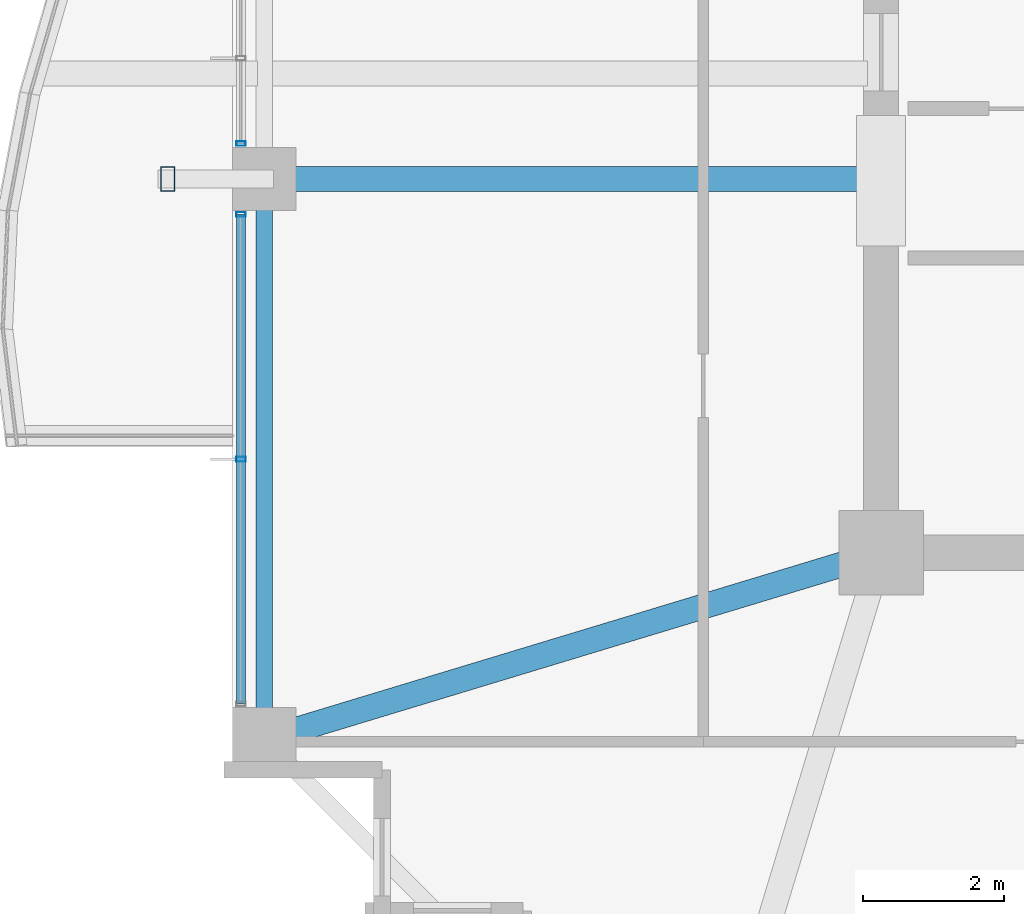
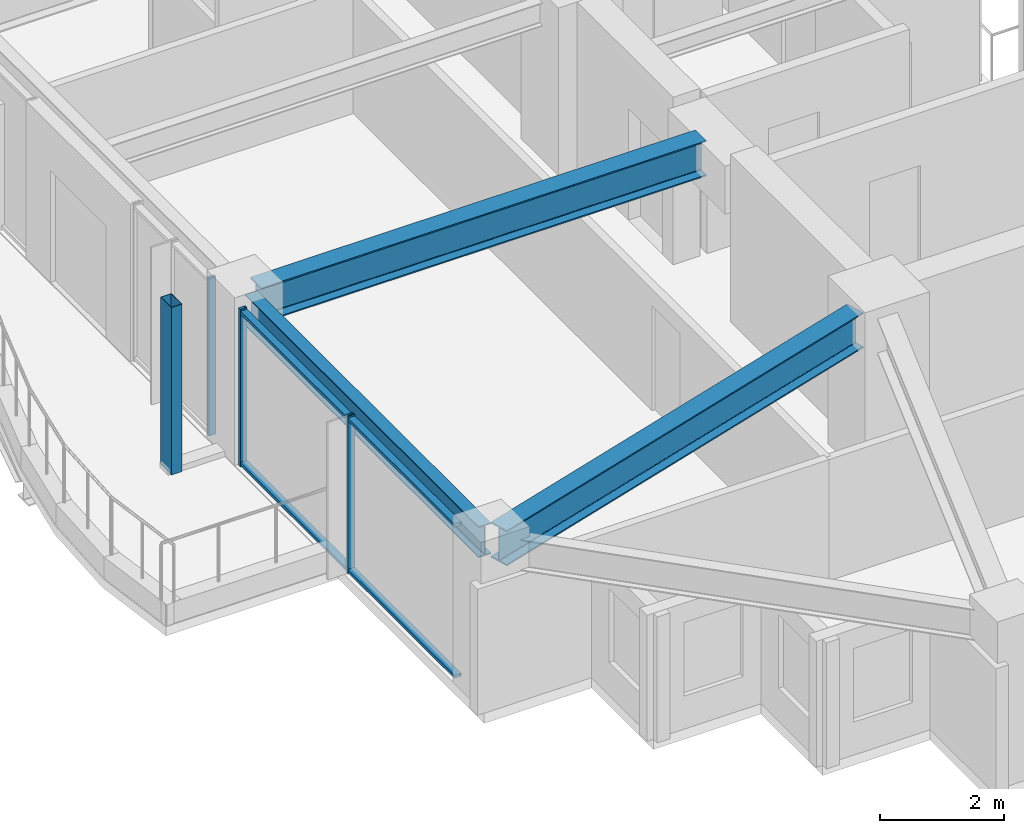
# One storey, part 4 of 35: 6 members, 3 beams, 2 elements without a shape of their own.
"""IFC4 building model written with IfcOpenShell, lengths in metres."""

from ifc_helpers import new_model, si_unit, direction, frame, origin, origin_2d, place, context, subcontext, project, spatial, hollow_rectangle, i_section, extrude, material, material_profile, profile_set, type_object, element, aggregate, save


model = new_model("IFC4")

# Units and contexts
model_context = context("Model", 3, precision=1e-05, world=origin(), true_north=direction((0.0, 1.0)))
body_context = subcontext(model_context, "Body", "Model", "MODEL_VIEW")
ifc_project = project(units=[si_unit("LENGTHUNIT", "METRE"), si_unit("AREAUNIT", "SQUARE_METRE"), si_unit("VOLUMEUNIT", "CUBIC_METRE"), si_unit("PLANEANGLEUNIT", "RADIAN"), si_unit("MASSUNIT", "GRAM", prefix="KILO")], contexts=[model_context])

# Site, building, storey
site_placement = place(None, origin())
site = spatial("IfcSite", under=ifc_project, at=site_placement, CompositionType="ELEMENT")
building_placement = place(site_placement, origin())
building = spatial("IfcBuilding", under=site, at=building_placement, Name="Kolvaren Belvedere", CompositionType="ELEMENT")
storey_placement = place(building_placement, frame((0.0, 0.0, 163.5)))
storey = spatial("IfcBuildingStorey", under=building, at=storey_placement, Name="L47", CompositionType="ELEMENT", Elevation=163.5)

# Beams
ifc_material_1 = material(Name="Structural steel ASTM A992 Grade 50", Category="steel")
ifc_material_profile_1 = material_profile(ifc_material_1, i_section(OverallWidth=0.35498046875, OverallDepth=0.696044921875, WebThickness=0.015380859375, FlangeThickness=0.02490234375, FilletRadius=0.02197265625, at=origin_2d()), Name="W27X146")
ifc_profile_set_1 = profile_set([ifc_material_profile_1], Name="Structural steel ASTM A992 Grade 50")
beam_type_1 = type_object("IfcBeamType", Name="BM-GIRD-W27X146", PredefinedType="BEAM", material=ifc_profile_set_1)
beam_1_placement = place(storey_placement, frame((-10.14990234375, -4.60009765625, 2.751953125), z_axis=(-1.0, 0.0, 0.0), x_axis=(0.0, -1.0, 0.0)))
element("IfcBeam", 1, at=beam_1_placement, inside=storey, type_object=beam_type_1, Name="L47 West Radial Girder M", PredefinedType="BEAM", context=body_context, shape_type="SweptSolid", body=[
    extrude(i_section(OverallWidth=0.35498046875, OverallDepth=0.696044921875, WebThickness=0.015380859375, FlangeThickness=0.02490234375, FilletRadius=0.02197265625, at=origin_2d()), origin(), (0.0, 0.0, 1.0), 8.297607421875),
])
beam_2_placement = place(storey_placement, frame((-10.426513671875, -10.059326171875, 2.751953125), z_axis=(-0.957067352423, -0.289865629086, 0.0), x_axis=(0.289865629086, -0.957067352423, 0.0)))
element("IfcBeam", 2, at=beam_2_placement, inside=storey, type_object=beam_type_1, Name="L47 Corner Core-to-Perimeter Girder CC1-W1", PredefinedType="BEAM", context=body_context, shape_type="SweptSolid", body=[
    extrude(i_section(OverallWidth=0.35498046875, OverallDepth=0.696044921875, WebThickness=0.015380859375, FlangeThickness=0.02490234375, FilletRadius=0.02197265625, at=origin_2d()), origin(), (0.0, 0.0, 1.0), 8.412353515625),
])
ifc_material_2 = material(Name="Structural steel ASTM A992 Grade 50", Category="steel")
ifc_material_profile_2 = material_profile(ifc_material_2, i_section(OverallWidth=0.22900390625, OverallDepth=0.612060546875, WebThickness=0.011962890625, FlangeThickness=0.01953125, FilletRadius=0.01806640625, at=origin_2d()), Name="W24X84")
ifc_profile_set_2 = profile_set([ifc_material_profile_2], Name="Structural steel ASTM A992 Grade 50")
beam_type_2 = type_object("IfcBeamType", Name="BM-SPAN-W24X84", PredefinedType="SPANDREL", material=ifc_profile_set_2)
beam_3_placement = place(storey_placement, frame((-18.64990234375, -4.802490234375, 2.7939453125), z_axis=(0.0, -1.0, 0.0), x_axis=(1.0, 0.0, 0.0)))
element("IfcBeam", 3, at=beam_3_placement, inside=storey, type_object=beam_type_2, Name="L47 Perimeter Spandrel W2-W1", PredefinedType="SPANDREL", context=body_context, shape_type="SweptSolid", body=[
    extrude(i_section(OverallWidth=0.22900390625, OverallDepth=0.612060546875, WebThickness=0.011962890625, FlangeThickness=0.01953125, FilletRadius=0.01806640625, at=origin_2d()), origin(), (0.0, 0.0, 1.0), 7.544921875),
])

# Curtain wall, members
ifc_material_3 = material(Name="Anodised pale-metal aluminium AA 6063-T6", Category="aluminium")
curtain_wall_type = type_object("IfcCurtainWallType", Name="CW-Z3-WAIST", PredefinedType="NOTDEFINED", material=ifc_material_3)
curtain_wall_1_placement = place(storey_placement, origin())
curtain_wall_1 = element("IfcCurtainWall", 4, at=curtain_wall_1_placement, inside=storey, type_object=curtain_wall_type, Name="L47 Unitised Curtain Wall FCW-L47-W1-B1", PredefinedType="NOTDEFINED")
ifc_material_4 = material(Name="Anodised pale-metal aluminium AA 6063-T6", Category="aluminium")
ifc_material_profile_3 = material_profile(ifc_material_4, hollow_rectangle(XDim=0.06494140625, YDim=0.1298828125, WallThickness=0.00390625, at=origin_2d()), Name="ALU-MUL-130X65")
ifc_profile_set_3 = profile_set([ifc_material_profile_3], Name="Anodised pale-metal aluminium AA 6063-T6")
member_type_1 = type_object("IfcMemberType", Name="CW-MUL-130", PredefinedType="MULLION", material=ifc_profile_set_3)
member_1_placement = place(storey_placement, frame((-18.97998046875, -8.574951171875, 0.0), z_axis=(0.0, 0.0, 1.0), x_axis=(0.0, 1.0, 0.0)))
member_1 = element("IfcMember", 5, at=member_1_placement, type_object=member_type_1, Name="FCW-L47-W1-B1 Unitised Mullion 2", PredefinedType="MULLION", context=body_context, shape_type="SweptSolid", body=[
    extrude(hollow_rectangle(XDim=0.06494140625, YDim=0.1298828125, WallThickness=0.00390625, at=origin_2d()), origin(), (0.0, 0.0, 1.0), 3.10009765625),
])
member_2_placement = place(storey_placement, frame((-18.97998046875, -5.1025390625, 0.0), z_axis=(0.0, 0.0, 1.0), x_axis=(0.0, 1.0, 0.0)))
member_2 = element("IfcMember", 6, at=member_2_placement, type_object=member_type_1, Name="FCW-L47-W1-B1 Unitised Mullion 3", PredefinedType="MULLION", context=body_context, shape_type="SweptSolid", body=[
    extrude(hollow_rectangle(XDim=0.06494140625, YDim=0.1298828125, WallThickness=0.00390625, at=origin_2d()), origin(), (0.0, 0.0, 1.0), 3.10009765625),
])

# Curtain wall, member
curtain_wall_2_placement = place(storey_placement, origin())
curtain_wall_2 = element("IfcCurtainWall", 7, at=curtain_wall_2_placement, inside=storey, type_object=curtain_wall_type, Name="L47 Unitised Curtain Wall FCW-L47-W1-B2", PredefinedType="NOTDEFINED")
member_3_placement = place(storey_placement, frame((-18.97998046875, -4.097412109375, 0.0), z_axis=(0.0, 0.0, 1.0), x_axis=(0.0, 1.0, 0.0)))
member_3 = element("IfcMember", 8, at=member_3_placement, type_object=member_type_1, Name="FCW-L47-W1-B2 Unitised Mullion 1", PredefinedType="MULLION", context=body_context, shape_type="SweptSolid", body=[
    extrude(hollow_rectangle(XDim=0.06494140625, YDim=0.1298828125, WallThickness=0.00390625, at=origin_2d()), origin(), (0.0, 0.0, 1.0), 3.10009765625),
])
aggregate(curtain_wall_2, [member_3])

# Member
ifc_material_5 = material(Name="Anodised pale-metal aluminium AA 6063-T6", Category="aluminium")
ifc_material_profile_4 = material_profile(ifc_material_5, hollow_rectangle(XDim=0.06005859375, YDim=0.1298828125, WallThickness=0.00390625, at=origin_2d()), Name="ALU-TRN-130X60")
ifc_profile_set_4 = profile_set([ifc_material_profile_4], Name="Anodised pale-metal aluminium AA 6063-T6")
member_type_2 = type_object("IfcMemberType", Name="CW-TRN-130", PredefinedType="USERDEFINED", material=ifc_profile_set_4)
member_4_placement = place(storey_placement, frame((-18.97998046875, -12.047607421875, 0.06005859375), z_axis=(0.0, 1.0, 0.0), x_axis=(0.0, 0.0, 1.0)))
member_4 = element("IfcMember", 9, at=member_4_placement, type_object=member_type_2, Name="FCW-L47-W1-B1 Sill Transom", ObjectType="TRANSOM", PredefinedType="USERDEFINED", context=body_context, shape_type="SweptSolid", body=[
    extrude(hollow_rectangle(XDim=0.06005859375, YDim=0.1298828125, WallThickness=0.00390625, at=origin_2d()), origin(), (0.0, 0.0, 1.0), 6.945068359375),
])

member_5_placement = place(storey_placement, frame((-18.97998046875, -12.047607421875, 3.0400390625), z_axis=(0.0, 1.0, 0.0), x_axis=(0.0, 0.0, 1.0)))
member_5 = element("IfcMember", 10, at=member_5_placement, type_object=member_type_2, Name="FCW-L47-W1-B1 Head Transom", ObjectType="TRANSOM", PredefinedType="USERDEFINED", context=body_context, shape_type="SweptSolid", body=[
    extrude(hollow_rectangle(XDim=0.06005859375, YDim=0.1298828125, WallThickness=0.00390625, at=origin_2d()), origin(), (0.0, 0.0, 1.0), 6.945068359375),
])

aggregate(curtain_wall_1, [member_1, member_2, member_4, member_5])

ifc_material_6 = material(Name="Anodised pale-metal aluminium AA 6063-T6", Category="aluminium")
ifc_material_profile_5 = material_profile(ifc_material_6, hollow_rectangle(XDim=0.199951171875, YDim=0.35009765625, WallThickness=0.007568359375, at=origin_2d()), Name="ALU-PF-350X200")
ifc_profile_set_5 = profile_set([ifc_material_profile_5], Name="Anodised pale-metal aluminium AA 6063-T6")
member_type_3 = type_object("IfcMemberType", Name="PF-FRAME-350", PredefinedType="USERDEFINED", material=ifc_profile_set_5)
member_6_placement = place(storey_placement, frame((-20.02001953125, -4.60009765625, 0.0), z_axis=(0.0, 0.0, 1.0), x_axis=(1.0, 0.0, 0.0)))
element("IfcMember", 11, at=member_6_placement, inside=storey, type_object=member_type_3, Name="L47 Outboard Picture-Frame Vertical W1", ObjectType="PICTURE FRAME FIN", PredefinedType="USERDEFINED", context=body_context, shape_type="SweptSolid", body=[
    extrude(hollow_rectangle(XDim=0.199951171875, YDim=0.35009765625, WallThickness=0.007568359375, at=origin_2d()), origin(), (0.0, 0.0, 1.0), 3.300048828125),
])

save(model, "model.ifc")
